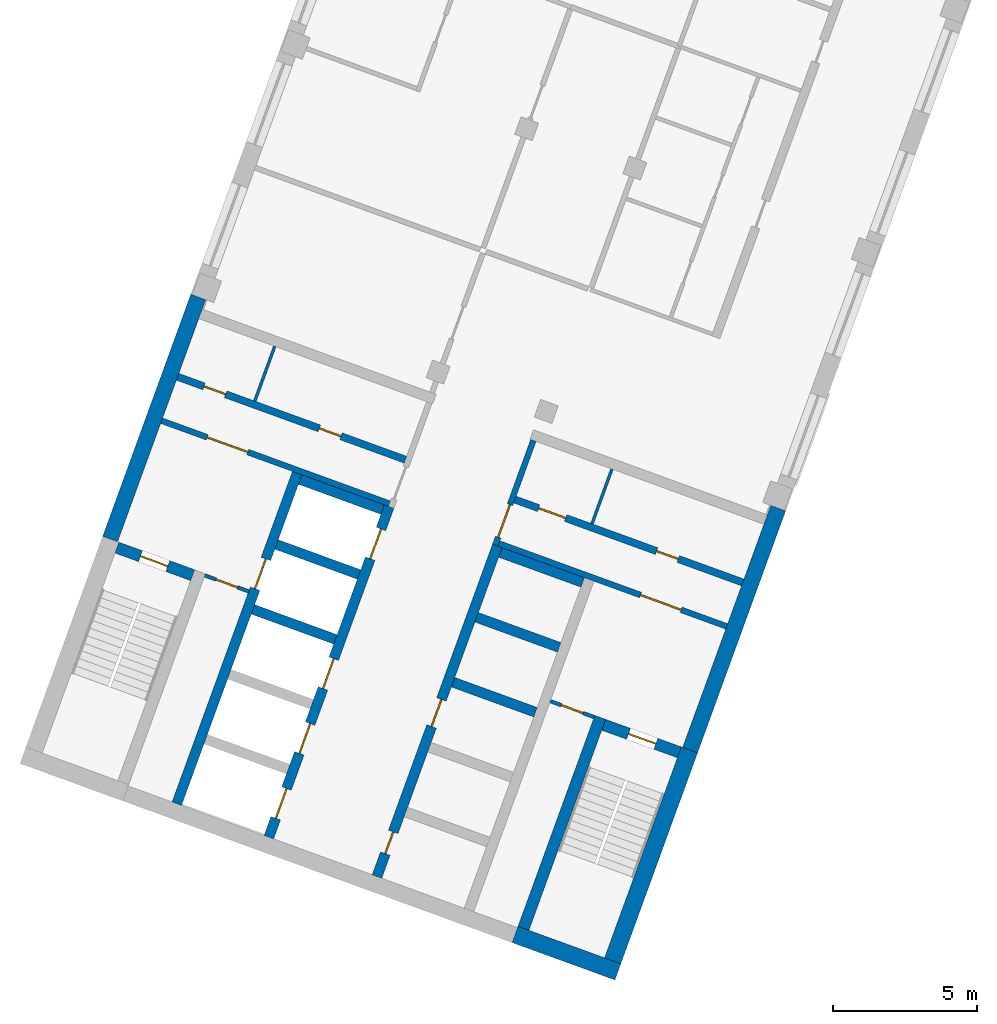
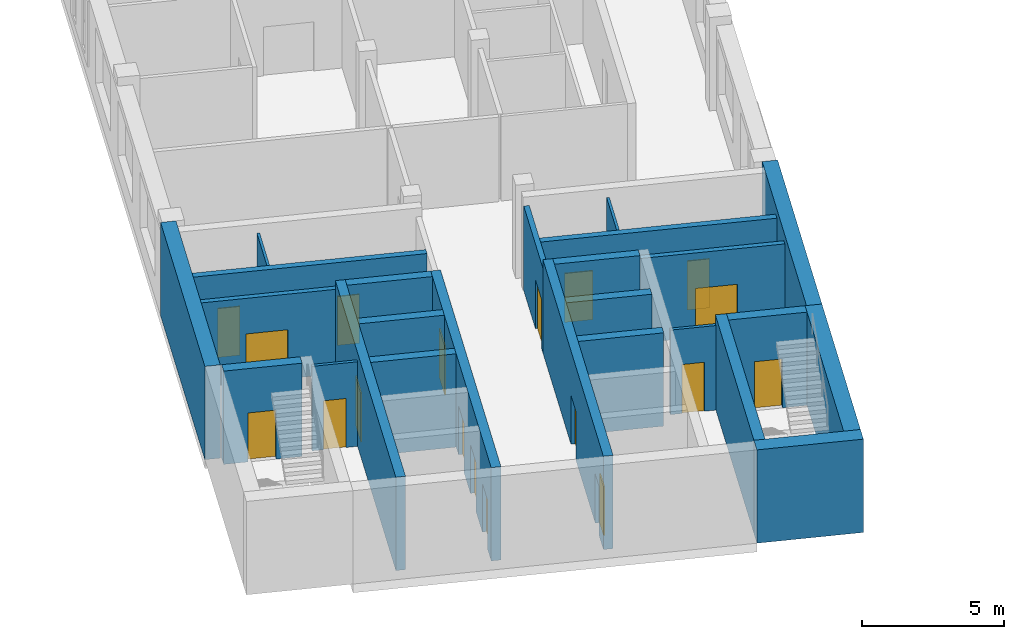
# One storey, part 2 of 8: 25 walls, 18 doors, 18 openings.
"""IFC4 building model written with IfcOpenShell, lengths in metres."""

from ifc_helpers import new_model, si_unit, direction, frame, frame_2d, origin, place, context, subcontext, project, spatial, rectangle, extrude, material, layer, layer_set, type_object, element, fill, save


model = new_model("IFC4")

# Units and contexts
model_context = context("Model", 3, precision=1e-05, world=origin(), true_north=direction((0.0, 1.0)))
body_context = subcontext(model_context, "Body", "Model", "MODEL_VIEW")
ifc_project = project(units=[si_unit("LENGTHUNIT", "METRE"), si_unit("AREAUNIT", "SQUARE_METRE"), si_unit("VOLUMEUNIT", "CUBIC_METRE"), si_unit("PLANEANGLEUNIT", "RADIAN"), si_unit("MASSUNIT", "GRAM", prefix="KILO")], contexts=[model_context])

# Site, building, storey
site_placement = place(None, origin())
site = spatial("IfcSite", under=ifc_project, at=site_placement, CompositionType="ELEMENT")
building_placement = place(site_placement, origin())
building = spatial("IfcBuilding", under=site, at=building_placement, Name="Skarvind Civic Tower", CompositionType="ELEMENT")
storey_placement = place(building_placement, frame((0.0, 0.0, 170.5)))
storey = spatial("IfcBuildingStorey", under=building, at=storey_placement, Name="L40", CompositionType="ELEMENT", Elevation=170.5)

# Wall, opening, door
ifc_material_1 = material(Name="Fire-rated masonry partition", Category="masonry")
ifc_layer_1 = layer(ifc_material_1, 0.199951171875)
ifc_layer_set_1 = layer_set([ifc_layer_1], Name="Core enclosure wall 200")
wall_type_1 = type_object("IfcWallType", Name="Core enclosure wall 200", PredefinedType="PARTITIONING", material=ifc_layer_set_1)
wall_1_placement = place(storey_placement, frame((23.482666015625, 96.68798828125, 0.0), z_axis=(0.0, 0.0, 1.0), x_axis=(0.939691007314, -0.342024576271, 0.0)))
wall_1 = element("IfcWall", 1, at=wall_1_placement, inside=storey, type_object=wall_type_1, Name="Core wall C2", PredefinedType="PARTITIONING", context=body_context, shape_type="SweptSolid", body=[
    extrude(rectangle(XDim=8.425048828125, YDim=0.199951171875, at=frame_2d((4.21240234375, 0.0))), origin(), (0.0, 0.0, 1.0), 3.625),
])
opening_1_placement = place(wall_1_placement, frame((1.6875, 0.0, 0.0)))
opening_1 = element("IfcOpeningElement", 2, at=opening_1_placement, cuts=wall_1, Name="Opening D-L40-C2-08", PredefinedType="OPENING", context=body_context, shape_type="SweptSolid", body=[
    extrude(rectangle(XDim=1.5, YDim=2.10009765625, at=frame_2d((0.75, 1.050048828125))), frame((0.0, 0.10986328125, 0.0), z_axis=(0.0, -1.0, 0.0), x_axis=(1.0, 0.0, 0.0)), (0.0, 0.0, 1.0), 0.219970703125),
])
ifc_material_2 = material(Name="Fire-rated steel door", Category="steel")
door_type_1 = type_object("IfcDoorType", Name="Fire door 1500", OperationType="NOTDEFINED", PredefinedType="DOOR", material=ifc_material_2)
door_1_placement = place(opening_1_placement, origin())
door_1 = element("IfcDoor", 3, at=door_1_placement, inside=storey, type_object=door_type_1, Name="Fire door", OperationType="DOUBLE_DOOR_SINGLE_SWING", OverallHeight=2.10009765625, OverallWidth=1.5, PredefinedType="DOOR", context=body_context, shape_type="SweptSolid", body=[
    extrude(rectangle(XDim=1.5, YDim=2.10009765625, at=frame_2d((0.75, 1.050048828125))), frame((0.0, 0.02490234375, 0.0), z_axis=(0.0, -1.0, 0.0), x_axis=(1.0, 0.0, 0.0)), (0.0, 0.0, 1.0), 0.050048828125),
])
fill(opening_1, door_1)

wall_2_placement = place(storey_placement, frame((36.402587890625, 96.0029296875, 0.0), z_axis=(0.0, 0.0, 1.0), x_axis=(-0.342041503764, -0.939684845947, 0.0)))
wall_2 = element("IfcWall", 4, at=wall_2_placement, inside=storey, type_object=wall_type_1, Name="Core wall C2", PredefinedType="PARTITIONING", context=body_context, shape_type="SweptSolid", body=[
    extrude(rectangle(XDim=3.875, YDim=0.199951171875, at=frame_2d((1.9375, 0.0))), origin(), (0.0, 0.0, 1.0), 3.625),
])
opening_2_placement = place(wall_2_placement, frame((2.375, 0.0, 0.0)))
opening_2 = element("IfcOpeningElement", 5, at=opening_2_placement, cuts=wall_2, Name="Opening D-L40-C2-13", PredefinedType="OPENING", context=body_context, shape_type="SweptSolid", body=[
    extrude(rectangle(XDim=1.199951171875, YDim=2.10009765625, at=frame_2d((0.60009765625, 1.050048828125))), frame((0.0, 0.10986328125, 0.0), z_axis=(0.0, -1.0, 0.0), x_axis=(1.0, 0.0, 0.0)), (0.0, 0.0, 1.0), 0.219970703125),
])
door_type_2 = type_object("IfcDoorType", Name="Core lobby door 1200", OperationType="NOTDEFINED", PredefinedType="DOOR", material=ifc_material_2)
door_2_placement = place(opening_2_placement, origin())
door_2 = element("IfcDoor", 6, at=door_2_placement, inside=storey, type_object=door_type_2, Name="Fire door", OperationType="DOUBLE_DOOR_SINGLE_SWING", OverallHeight=2.10009765625, OverallWidth=1.199951171875, PredefinedType="DOOR", context=body_context, shape_type="SweptSolid", body=[
    extrude(rectangle(XDim=1.199951171875, YDim=2.10009765625, at=frame_2d((0.60009765625, 1.050048828125))), frame((0.0, 0.02490234375, 0.0), z_axis=(0.0, -1.0, 0.0), x_axis=(1.0, 0.0, 0.0)), (0.0, 0.0, 1.0), 0.050048828125),
])
fill(opening_2, door_2)

wall_3_placement = place(storey_placement, frame((35.205322265625, 92.42138671875, 0.0), z_axis=(0.0, 0.0, 1.0), x_axis=(0.939691007314, -0.342024576271, 0.0)))
wall_3 = element("IfcWall", 7, at=wall_3_placement, inside=storey, type_object=wall_type_1, Name="Core wall C2", PredefinedType="PARTITIONING", context=body_context, shape_type="SweptSolid", body=[
    extrude(rectangle(XDim=8.425048828125, YDim=0.199951171875, at=frame_2d((4.21240234375, 0.0))), origin(), (0.0, 0.0, 1.0), 3.625),
])
opening_3_placement = place(wall_3_placement, frame((5.237548828125, 0.0, 0.0)))
opening_3 = element("IfcOpeningElement", 8, at=opening_3_placement, cuts=wall_3, Name="Opening D-L40-C2-14", PredefinedType="OPENING", context=body_context, shape_type="SweptSolid", body=[
    extrude(rectangle(XDim=1.5, YDim=2.10009765625, at=frame_2d((0.75, 1.050048828125))), frame((0.0, 0.10986328125, 0.0), z_axis=(0.0, -1.0, 0.0), x_axis=(1.0, 0.0, 0.0)), (0.0, 0.0, 1.0), 0.219970703125),
])
door_3_placement = place(opening_3_placement, origin())
door_3 = element("IfcDoor", 9, at=door_3_placement, inside=storey, type_object=door_type_1, Name="Fire door", OperationType="DOUBLE_DOOR_SINGLE_SWING", OverallHeight=2.10009765625, OverallWidth=1.5, PredefinedType="DOOR", context=body_context, shape_type="SweptSolid", body=[
    extrude(rectangle(XDim=1.5, YDim=2.10009765625, at=frame_2d((0.75, 1.050048828125))), frame((0.0, 0.02490234375, 0.0), z_axis=(0.0, -1.0, 0.0), x_axis=(1.0, 0.0, 0.0)), (0.0, 0.0, 1.0), 0.050048828125),
])
fill(opening_3, door_3)

# Walls
ifc_material_3 = material(Name="Fire-rated plasterboard partition")
ifc_layer_2 = layer(ifc_material_3, 0.10009765625)
ifc_layer_set_2 = layer_set([ifc_layer_2], Name="Core partition wall 100")
wall_type_2 = type_object("IfcWallType", Name="Core partition wall 100", PredefinedType="PARTITIONING", material=ifc_layer_set_2)
wall_4_placement = place(storey_placement, frame((26.7216796875, 97.371337890625, 0.0), z_axis=(0.0, 0.0, 1.0), x_axis=(0.342004391282, 0.939698353911, 0.0)))
element("IfcWall", 10, at=wall_4_placement, inside=storey, type_object=wall_type_2, Name="Core wall C2", PredefinedType="PARTITIONING", context=body_context, shape_type="SweptSolid", body=[
    extrude(rectangle(XDim=2.025146484375, YDim=0.10009765625, at=frame_2d((1.0126953125, 0.0))), origin(), (0.0, 0.0, 1.0), 3.625),
])
wall_5_placement = place(storey_placement, frame((39.13232421875, 95.00927734375, 0.0), z_axis=(0.0, 0.0, 1.0), x_axis=(-0.342043138314, -0.939684250976, 0.0)))
element("IfcWall", 11, at=wall_5_placement, inside=storey, type_object=wall_type_2, Name="Core wall C2", PredefinedType="PARTITIONING", context=body_context, shape_type="SweptSolid", body=[
    extrude(rectangle(XDim=2.02490234375, YDim=0.10009765625, at=frame_2d((1.012451171875, 0.0))), origin(), (0.0, 0.0, 1.0), 3.625),
])

# Wall, openings, doors
ifc_material_4 = material(Name="Concrete C60", Category="concrete")
ifc_layer_3 = layer(ifc_material_4, 0.35009765625)
ifc_layer_set_3 = layer_set([ifc_layer_3], Name="Core wall 350 C60")
wall_type_3 = type_object("IfcWallType", Name="Core wall 350 C60", PredefinedType="SHEAR", material=ifc_layer_set_3)
wall_6_placement = place(storey_placement, frame((30.966552734375, 80.84814453125, 0.0), z_axis=(0.0, 0.0, 1.0), x_axis=(0.34201563943, 0.939694260058, 0.0)))
wall_6 = element("IfcWall", 12, at=wall_6_placement, inside=storey, type_object=wall_type_3, Name="Core wall C2 south lift row front L40", PredefinedType="SHEAR", context=body_context, shape_type="SweptSolid", body=[
    extrude(rectangle(XDim=12.22509765625, YDim=0.35009765625, at=frame_2d((6.112548828125, 0.0))), origin(), (0.0, 0.0, 1.0), 4.0),
])
opening_4_placement = place(wall_6_placement, frame((0.85009765625, 0.0, 0.0)))
opening_4 = element("IfcOpeningElement", 13, at=opening_4_placement, cuts=wall_6, Name="Opening D-L40-C2-05", PredefinedType="OPENING", context=body_context, shape_type="SweptSolid", body=[
    extrude(rectangle(XDim=0.800048828125, YDim=2.10009765625, at=frame_2d((0.39990234375, 1.050048828125))), frame((0.0, 0.18505859375, 0.0), z_axis=(0.0, -1.0, 0.0), x_axis=(1.0, 0.0, 0.0)), (0.0, 0.0, 1.0), 0.3701171875),
])
opening_5_placement = place(wall_6_placement, frame((5.550048828125, 0.0, 0.0)))
opening_5 = element("IfcOpeningElement", 14, at=opening_5_placement, cuts=wall_6, Name="Opening D-L40-C2-06", PredefinedType="OPENING", context=body_context, shape_type="SweptSolid", body=[
    extrude(rectangle(XDim=1.0, YDim=2.10009765625, at=frame_2d((0.5, 1.050048828125))), frame((0.0, 0.18505859375, 0.0), z_axis=(0.0, -1.0, 0.0), x_axis=(1.0, 0.0, 0.0)), (0.0, 0.0, 1.0), 0.3701171875),
])
door_type_3 = type_object("IfcDoorType", Name="Core riser door 800", OperationType="NOTDEFINED", PredefinedType="DOOR", material=ifc_material_2)
door_4_placement = place(opening_4_placement, origin())
door_4 = element("IfcDoor", 15, at=door_4_placement, inside=storey, type_object=door_type_3, Name="Riser door", OperationType="SINGLE_SWING_LEFT", OverallHeight=2.10009765625, OverallWidth=0.800048828125, PredefinedType="DOOR", context=body_context, shape_type="SweptSolid", body=[
    extrude(rectangle(XDim=0.800048828125, YDim=2.10009765625, at=frame_2d((0.39990234375, 1.050048828125))), frame((0.0, 0.02490234375, 0.0), z_axis=(0.0, -1.0, 0.0), x_axis=(1.0, 0.0, 0.0)), (0.0, 0.0, 1.0), 0.050048828125),
])
fill(opening_4, door_4)
door_type_4 = type_object("IfcDoorType", Name="Fire door 1000", OperationType="NOTDEFINED", PredefinedType="DOOR", material=ifc_material_2)
door_5_placement = place(opening_5_placement, origin())
door_5 = element("IfcDoor", 16, at=door_5_placement, inside=storey, type_object=door_type_4, Name="Fire door", OperationType="SINGLE_SWING_RIGHT", OverallHeight=2.10009765625, OverallWidth=1.0, PredefinedType="DOOR", context=body_context, shape_type="SweptSolid", body=[
    extrude(rectangle(XDim=1.0, YDim=2.10009765625, at=frame_2d((0.5, 1.050048828125))), frame((0.0, 0.02490234375, 0.0), z_axis=(0.0, -1.0, 0.0), x_axis=(1.0, 0.0, 0.0)), (0.0, 0.0, 1.0), 0.050048828125),
])
fill(opening_5, door_5)

# Walls
for number, where, z_axis, x_axis, name in (
    (17, (36.4765625, 86.557861328125, 0.0), (0.0, 0.0, 1.0), (-0.939683528043, 0.3420451244, 0.0), "Core wall C2 south lift row division 3 L40"),
    (18, (37.297607421875, 88.813232421875, 0.0), (0.0, 0.0, 1.0), (-0.939692892192, 0.342019397644, 0.0), "Core wall C2 south lift row division 4 L40"),
    (19, (38.118408203125, 91.068359375, 0.0), (0.0, 0.0, 1.0), (-0.939692892192, 0.342019397644, 0.0), "Core wall C2 south lift row division 5 L40"),
):
    element("IfcWall", number, at=place(storey_placement, frame(where, z_axis=z_axis, x_axis=x_axis)), inside=storey, type_object=wall_type_3, Name=name, PredefinedType="SHEAR", context=body_context, shape_type="SweptSolid", body=[
        extrude(rectangle(XDim=3.050048828125, YDim=0.35009765625, at=frame_2d((1.52490234375, 0.0))), origin(), (0.0, 0.0, 1.0), 4.0),
    ])

# Wall, openings, doors
wall_7_placement = place(storey_placement, frame((27.207763671875, 82.21630859375, 0.0), z_axis=(0.0, 0.0, 1.0), x_axis=(0.34201563943, 0.939694260058, 0.0)))
wall_7 = element("IfcWall", 20, at=wall_7_placement, inside=storey, type_object=wall_type_3, Name="Core wall C2 north lift row front L40", PredefinedType="SHEAR", context=body_context, shape_type="SweptSolid", body=[
    extrude(rectangle(XDim=12.22509765625, YDim=0.35009765625, at=frame_2d((6.112548828125, 0.0))), origin(), (0.0, 0.0, 1.0), 4.0),
])
opening_6_placement = place(wall_7_placement, frame((0.699951171875, 0.0, 0.0)))
opening_6 = element("IfcOpeningElement", 21, at=opening_6_placement, cuts=wall_7, Name="Opening LD42201", PredefinedType="OPENING", context=body_context, shape_type="SweptSolid", body=[
    extrude(rectangle(XDim=1.10009765625, YDim=2.10009765625, at=frame_2d((0.550048828125, 1.050048828125))), frame((0.0, 0.18505859375, 0.0), z_axis=(0.0, -1.0, 0.0), x_axis=(1.0, 0.0, 0.0)), (0.0, 0.0, 1.0), 0.3701171875),
])
opening_7_placement = place(wall_7_placement, frame((3.10009765625, 0.0, 0.0)))
opening_7 = element("IfcOpeningElement", 22, at=opening_7_placement, cuts=wall_7, Name="Opening LD42202", PredefinedType="OPENING", context=body_context, shape_type="SweptSolid", body=[
    extrude(rectangle(XDim=1.10009765625, YDim=2.10009765625, at=frame_2d((0.550048828125, 1.050048828125))), frame((0.0, 0.18505859375, 0.0), z_axis=(0.0, -1.0, 0.0), x_axis=(1.0, 0.0, 0.0)), (0.0, 0.0, 1.0), 0.3701171875),
])
opening_8_placement = place(wall_7_placement, frame((5.5, 0.0, 0.0)))
opening_8 = element("IfcOpeningElement", 23, at=opening_8_placement, cuts=wall_7, Name="Opening LD42203", PredefinedType="OPENING", context=body_context, shape_type="SweptSolid", body=[
    extrude(rectangle(XDim=1.10009765625, YDim=2.10009765625, at=frame_2d((0.550048828125, 1.050048828125))), frame((0.0, 0.18505859375, 0.0), z_axis=(0.0, -1.0, 0.0), x_axis=(1.0, 0.0, 0.0)), (0.0, 0.0, 1.0), 0.3701171875),
])
opening_9_placement = place(wall_7_placement, frame((10.300048828125, 0.0, 0.0)))
opening_9 = element("IfcOpeningElement", 24, at=opening_9_placement, cuts=wall_7, Name="Opening LD42205", PredefinedType="OPENING", context=body_context, shape_type="SweptSolid", body=[
    extrude(rectangle(XDim=1.10009765625, YDim=2.10009765625, at=frame_2d((0.550048828125, 1.050048828125))), frame((0.0, 0.18505859375, 0.0), z_axis=(0.0, -1.0, 0.0), x_axis=(1.0, 0.0, 0.0)), (0.0, 0.0, 1.0), 0.3701171875),
])
ifc_material_5 = material(Name="Stainless steel landing door", Category="steel")
door_type_5 = type_object("IfcDoorType", Name="Lift landing door 1100", OperationType="DOUBLE_DOOR_SLIDING", PredefinedType="DOOR", material=ifc_material_5)
door_6_placement = place(opening_6_placement, origin())
door_6 = element("IfcDoor", 25, at=door_6_placement, inside=storey, type_object=door_type_5, Name="Lift landing door", OperationType="DOUBLE_DOOR_SLIDING", OverallHeight=2.10009765625, OverallWidth=1.10009765625, PredefinedType="DOOR", context=body_context, shape_type="SweptSolid", body=[
    extrude(rectangle(XDim=1.10009765625, YDim=2.10009765625, at=frame_2d((0.550048828125, 1.050048828125))), frame((0.0, 0.02490234375, 0.0), z_axis=(0.0, -1.0, 0.0), x_axis=(1.0, 0.0, 0.0)), (0.0, 0.0, 1.0), 0.050048828125),
])
fill(opening_6, door_6)
door_7_placement = place(opening_7_placement, origin())
door_7 = element("IfcDoor", 26, at=door_7_placement, inside=storey, type_object=door_type_5, Name="Lift landing door", OperationType="DOUBLE_DOOR_SLIDING", OverallHeight=2.10009765625, OverallWidth=1.10009765625, PredefinedType="DOOR", context=body_context, shape_type="SweptSolid", body=[
    extrude(rectangle(XDim=1.10009765625, YDim=2.10009765625, at=frame_2d((0.550048828125, 1.050048828125))), frame((0.0, 0.02490234375, 0.0), z_axis=(0.0, -1.0, 0.0), x_axis=(1.0, 0.0, 0.0)), (0.0, 0.0, 1.0), 0.050048828125),
])
fill(opening_7, door_7)
door_8_placement = place(opening_8_placement, origin())
door_8 = element("IfcDoor", 27, at=door_8_placement, inside=storey, type_object=door_type_5, Name="Lift landing door", OperationType="DOUBLE_DOOR_SLIDING", OverallHeight=2.10009765625, OverallWidth=1.10009765625, PredefinedType="DOOR", context=body_context, shape_type="SweptSolid", body=[
    extrude(rectangle(XDim=1.10009765625, YDim=2.10009765625, at=frame_2d((0.550048828125, 1.050048828125))), frame((0.0, 0.02490234375, 0.0), z_axis=(0.0, -1.0, 0.0), x_axis=(1.0, 0.0, 0.0)), (0.0, 0.0, 1.0), 0.050048828125),
])
fill(opening_8, door_8)
door_9_placement = place(opening_9_placement, origin())
door_9 = element("IfcDoor", 28, at=door_9_placement, inside=storey, type_object=door_type_5, Name="Lift landing door", OperationType="DOUBLE_DOOR_SLIDING", OverallHeight=2.10009765625, OverallWidth=1.10009765625, PredefinedType="DOOR", context=body_context, shape_type="SweptSolid", body=[
    extrude(rectangle(XDim=1.10009765625, YDim=2.10009765625, at=frame_2d((0.550048828125, 1.050048828125))), frame((0.0, 0.02490234375, 0.0), z_axis=(0.0, -1.0, 0.0), x_axis=(1.0, 0.0, 0.0)), (0.0, 0.0, 1.0), 0.050048828125),
])
fill(opening_9, door_9)

# Wall, opening, door
wall_8_placement = place(storey_placement, frame((24.0126953125, 83.379150390625, 0.0), z_axis=(0.0, 0.0, 1.0), x_axis=(0.34201563943, 0.939694260058, 0.0)))
wall_8 = element("IfcWall", 29, at=wall_8_placement, inside=storey, type_object=wall_type_3, Name="Core wall C2 north lift row back L40", PredefinedType="SHEAR", context=body_context, shape_type="SweptSolid", body=[
    extrude(rectangle(XDim=12.22509765625, YDim=0.35009765625, at=frame_2d((6.112548828125, 0.0))), origin(), (0.0, 0.0, 1.0), 4.0),
])
opening_10_placement = place(wall_8_placement, frame((7.949951171875, 0.0, 0.0)))
opening_10 = element("IfcOpeningElement", 30, at=opening_10_placement, cuts=wall_8, Name="Opening LD42204", PredefinedType="OPENING", context=body_context, shape_type="SweptSolid", body=[
    extrude(rectangle(XDim=1.10009765625, YDim=2.10009765625, at=frame_2d((0.550048828125, 1.050048828125))), frame((0.0, 0.18505859375, 0.0), z_axis=(0.0, -1.0, 0.0), x_axis=(1.0, 0.0, 0.0)), (0.0, 0.0, 1.0), 0.3701171875),
])
door_10_placement = place(opening_10_placement, origin())
door_10 = element("IfcDoor", 31, at=door_10_placement, inside=storey, type_object=door_type_5, Name="Lift landing door", OperationType="DOUBLE_DOOR_SLIDING", OverallHeight=2.10009765625, OverallWidth=1.10009765625, PredefinedType="DOOR", context=body_context, shape_type="SweptSolid", body=[
    extrude(rectangle(XDim=1.10009765625, YDim=2.10009765625, at=frame_2d((0.550048828125, 1.050048828125))), frame((0.0, 0.02490234375, 0.0), z_axis=(0.0, -1.0, 0.0), x_axis=(1.0, 0.0, 0.0)), (0.0, 0.0, 1.0), 0.050048828125),
])
fill(opening_10, door_10)

# Walls
wall_9_placement = place(storey_placement, frame((29.52294921875, 89.0888671875, 0.0), z_axis=(0.0, 0.0, 1.0), x_axis=(-0.939692892192, 0.342019397644, 0.0)))
element("IfcWall", 32, at=wall_9_placement, inside=storey, type_object=wall_type_3, Name="Core wall C2 north lift row division 3 L40", PredefinedType="SHEAR", context=body_context, shape_type="SweptSolid", body=[
    extrude(rectangle(XDim=3.050048828125, YDim=0.35009765625, at=frame_2d((1.52490234375, 0.0))), origin(), (0.0, 0.0, 1.0), 4.0),
])
wall_10_placement = place(storey_placement, frame((30.34375, 91.34423828125, 0.0), z_axis=(0.0, 0.0, 1.0), x_axis=(-0.939709254651, 0.341974438698, 0.0)))
element("IfcWall", 33, at=wall_10_placement, inside=storey, type_object=wall_type_3, Name="Core wall C2 north lift row division 4 L40", PredefinedType="SHEAR", context=body_context, shape_type="SweptSolid", body=[
    extrude(rectangle(XDim=3.0498046875, YDim=0.35009765625, at=frame_2d((1.52490234375, 0.0))), origin(), (0.0, 0.0, 1.0), 4.0),
])
wall_11_placement = place(storey_placement, frame((31.16455078125, 93.599365234375, 0.0), z_axis=(0.0, 0.0, 1.0), x_axis=(-0.939683528043, 0.3420451244, 0.0)))
element("IfcWall", 34, at=wall_11_placement, inside=storey, type_object=wall_type_3, Name="Core wall C2 north lift row division 5 L40", PredefinedType="SHEAR", context=body_context, shape_type="SweptSolid", body=[
    extrude(rectangle(XDim=3.050048828125, YDim=0.35009765625, at=frame_2d((1.52490234375, 0.0))), origin(), (0.0, 0.0, 1.0), 4.0),
])
ifc_layer_4 = layer(ifc_material_4, 0.39990234375)
ifc_layer_set_4 = layer_set([ifc_layer_4], Name="Core wall 400 C60")
wall_type_4 = type_object("IfcWallType", Name="Core wall 400 C60", PredefinedType="SHEAR", material=ifc_layer_set_4)
wall_12_placement = place(storey_placement, frame((36.057861328125, 79.04833984375, 0.0), z_axis=(0.0, 0.0, 1.0), x_axis=(0.342016982193, 0.939693771338, 0.0)))
element("IfcWall", 35, at=wall_12_placement, inside=storey, type_object=wall_type_4, Name="Core wall C2 south stair inner L40", PredefinedType="SHEAR", context=body_context, shape_type="SweptSolid", body=[
    extrude(rectangle(XDim=7.800048828125, YDim=0.39990234375, at=frame_2d((3.89990234375, 0.0))), origin(), (0.0, 0.0, 1.0), 4.0),
])

# Wall, opening, door
wall_13_placement = place(storey_placement, frame((41.476318359375, 85.163818359375, 0.0), z_axis=(0.0, 0.0, 1.0), x_axis=(-0.939678810556, 0.342058084236, 0.0)))
wall_13 = element("IfcWall", 36, at=wall_13_placement, inside=storey, type_object=wall_type_4, Name="Core wall C2 south stair end L40", PredefinedType="SHEAR", context=body_context, shape_type="SweptSolid", body=[
    extrude(rectangle(XDim=2.800048828125, YDim=0.39990234375, at=frame_2d((1.39990234375, 0.0))), origin(), (0.0, 0.0, 1.0), 4.0),
])
opening_11_placement = place(wall_13_placement, frame((0.875, 0.0, 0.0)))
opening_11 = element("IfcOpeningElement", 37, at=opening_11_placement, cuts=wall_13, Name="Opening D-L40-C2-15", PredefinedType="OPENING", context=body_context, shape_type="SweptSolid", body=[
    extrude(rectangle(XDim=1.0, YDim=2.10009765625, at=frame_2d((0.5, 1.050048828125))), frame((0.0, 0.2099609375, 0.0), z_axis=(0.0, -1.0, 0.0), x_axis=(1.0, 0.0, 0.0)), (0.0, 0.0, 1.0), 0.419921875),
])
door_11_placement = place(opening_11_placement, origin())
door_11 = element("IfcDoor", 38, at=door_11_placement, inside=storey, type_object=door_type_4, Name="Fire door", OperationType="SINGLE_SWING_RIGHT", OverallHeight=2.10009765625, OverallWidth=1.0, PredefinedType="DOOR", context=body_context, shape_type="SweptSolid", body=[
    extrude(rectangle(XDim=1.0, YDim=2.10009765625, at=frame_2d((0.5, 1.050048828125))), frame((0.0, 0.02490234375, 0.0), z_axis=(0.0, -1.0, 0.0), x_axis=(1.0, 0.0, 0.0)), (0.0, 0.0, 1.0), 0.050048828125),
])
fill(opening_11, door_11)

wall_14_placement = place(storey_placement, frame((24.56201171875, 91.3203125, 0.0), z_axis=(0.0, 0.0, 1.0), x_axis=(-0.939717030584, 0.341953070509, 0.0)))
wall_14 = element("IfcWall", 39, at=wall_14_placement, inside=storey, type_object=wall_type_4, Name="Core wall C2 north stair end L40", PredefinedType="SHEAR", context=body_context, shape_type="SweptSolid", body=[
    extrude(rectangle(XDim=2.800048828125, YDim=0.39990234375, at=frame_2d((1.39990234375, 0.0))), origin(), (0.0, 0.0, 1.0), 4.0),
])
opening_12_placement = place(wall_14_placement, frame((0.925048828125, 0.0, 0.0)))
opening_12 = element("IfcOpeningElement", 40, at=opening_12_placement, cuts=wall_14, Name="Opening D-L40-C2-09", PredefinedType="OPENING", context=body_context, shape_type="SweptSolid", body=[
    extrude(rectangle(XDim=1.0, YDim=2.10009765625, at=frame_2d((0.5, 1.050048828125))), frame((0.0, 0.2099609375, 0.0), z_axis=(0.0, -1.0, 0.0), x_axis=(1.0, 0.0, 0.0)), (0.0, 0.0, 1.0), 0.419921875),
])
door_12_placement = place(opening_12_placement, origin())
door_12 = element("IfcDoor", 41, at=door_12_placement, inside=storey, type_object=door_type_4, Name="Fire door", OperationType="SINGLE_SWING_LEFT", OverallHeight=2.10009765625, OverallWidth=1.0, PredefinedType="DOOR", context=body_context, shape_type="SweptSolid", body=[
    extrude(rectangle(XDim=1.0, YDim=2.10009765625, at=frame_2d((0.5, 1.050048828125))), frame((0.0, 0.02490234375, 0.0), z_axis=(0.0, -1.0, 0.0), x_axis=(1.0, 0.0, 0.0)), (0.0, 0.0, 1.0), 0.050048828125),
])
fill(opening_12, door_12)

# Walls
ifc_layer_5 = layer(ifc_material_4, 0.550048828125)
ifc_layer_set_5 = layer_set([ifc_layer_5], Name="Core wall 550 C60")
wall_type_5 = type_object("IfcWallType", Name="Core wall 550 C60", PredefinedType="SHEAR", material=ifc_layer_set_5)
wall_15_placement = place(storey_placement, frame((41.85009765625, 85.24072265625, 0.0), z_axis=(0.0, 0.0, 1.0), x_axis=(0.34201902012, 0.939693029598, 0.0)))
element("IfcWall", 42, at=wall_15_placement, inside=storey, type_object=wall_type_5, Name="Core wall C2 south side L40", PredefinedType="SHEAR", context=body_context, shape_type="SweptSolid", body=[
    extrude(rectangle(XDim=8.949951171875, YDim=0.550048828125, at=frame_2d((4.47509765625, 0.0))), origin(), (0.0, 0.0, 1.0), 4.0),
])
wall_16_placement = place(storey_placement, frame((21.69384765625, 92.576904296875, 0.0), z_axis=(0.0, 0.0, 1.0), x_axis=(0.342010253184, 0.939696220444, 0.0)))
element("IfcWall", 43, at=wall_16_placement, inside=storey, type_object=wall_type_5, Name="Core wall C2 north side L40", PredefinedType="SHEAR", context=body_context, shape_type="SweptSolid", body=[
    extrude(rectangle(XDim=8.9501953125, YDim=0.550048828125, at=frame_2d((4.47509765625, 0.0))), origin(), (0.0, 0.0, 1.0), 4.0),
])
ifc_layer_6 = layer(ifc_material_4, 0.60009765625)
ifc_layer_set_6 = layer_set([ifc_layer_6], Name="Core wall 600 C60")
wall_type_6 = type_object("IfcWallType", Name="Core wall 600 C60", PredefinedType="SHEAR", material=ifc_layer_set_6)
wall_17_placement = place(storey_placement, frame((39.338134765625, 77.53515625, 0.0), z_axis=(0.0, 0.0, 1.0), x_axis=(-0.939701471648, 0.341995824804, 0.0)))
element("IfcWall", 44, at=wall_17_placement, inside=storey, type_object=wall_type_6, Name="Core wall C2 tip at the south stair L40", PredefinedType="SHEAR", context=body_context, shape_type="SweptSolid", body=[
    extrude(rectangle(XDim=3.800048828125, YDim=0.60009765625, at=frame_2d((1.89990234375, 0.0))), origin(), (0.0, 0.0, 1.0), 4.0),
])
wall_18_placement = place(storey_placement, frame((39.158935546875, 77.919677734375, 0.0), z_axis=(0.0, 0.0, 1.0), x_axis=(0.342016982193, 0.939693771338, 0.0)))
element("IfcWall", 45, at=wall_18_placement, inside=storey, type_object=wall_type_6, Name="Core wall C2 south side at the stair L40", PredefinedType="SHEAR", context=body_context, shape_type="SweptSolid", body=[
    extrude(rectangle(XDim=7.800048828125, YDim=0.60009765625, at=frame_2d((3.89990234375, 0.0))), origin(), (0.0, 0.0, 1.0), 4.0),
])

# Wall, opening, door
ifc_layer_7 = layer(ifc_material_1, 0.125)
ifc_layer_set_7 = layer_set([ifc_layer_7], Name="Riser wall 125")
wall_type_7 = type_object("IfcWallType", Name="Riser wall 125", PredefinedType="PARTITIONING", material=ifc_layer_set_7)
wall_19_placement = place(storey_placement, frame((24.98486328125, 91.3125, 0.0), z_axis=(0.0, 0.0, 1.0), x_axis=(0.939705651352, -0.341984340019, 0.0)))
wall_19 = element("IfcWall", 46, at=wall_19_placement, inside=storey, type_object=wall_type_7, Name="Core wall C2", PredefinedType="PARTITIONING", context=body_context, shape_type="SweptSolid", body=[
    extrude(rectangle(XDim=1.624755859375, YDim=0.125, at=frame_2d((0.8125, 0.0))), origin(), (0.0, 0.0, 1.0), 3.625),
])
opening_13_placement = place(wall_19_placement, frame((0.41259765625, 0.0, 0.0)))
opening_13 = element("IfcOpeningElement", 47, at=opening_13_placement, cuts=wall_19, Name="Opening D-L40-C2-10", PredefinedType="OPENING", context=body_context, shape_type="SweptSolid", body=[
    extrude(rectangle(XDim=0.800048828125, YDim=2.10009765625, at=frame_2d((0.39990234375, 1.050048828125))), frame((0.0, 0.072509765625, 0.0), z_axis=(0.0, -1.0, 0.0), x_axis=(1.0, 0.0, 0.0)), (0.0, 0.0, 1.0), 0.14501953125),
])
door_13_placement = place(opening_13_placement, origin())
door_13 = element("IfcDoor", 48, at=door_13_placement, inside=storey, type_object=door_type_3, Name="Riser door", OperationType="SINGLE_SWING_RIGHT", OverallHeight=2.10009765625, OverallWidth=0.800048828125, PredefinedType="DOOR", context=body_context, shape_type="SweptSolid", body=[
    extrude(rectangle(XDim=0.800048828125, YDim=2.10009765625, at=frame_2d((0.39990234375, 1.050048828125))), frame((0.0, 0.02490234375, 0.0), z_axis=(0.0, -1.0, 0.0), x_axis=(1.0, 0.0, 0.0)), (0.0, 0.0, 1.0), 0.050048828125),
])
fill(opening_13, door_13)

wall_20_placement = place(storey_placement, frame((36.989501953125, 86.943359375, 0.0), z_axis=(0.0, 0.0, 1.0), x_axis=(0.939657357267, -0.342117013511, 0.0)))
wall_20 = element("IfcWall", 49, at=wall_20_placement, inside=storey, type_object=wall_type_7, Name="Core wall C2", PredefinedType="PARTITIONING", context=body_context, shape_type="SweptSolid", body=[
    extrude(rectangle(XDim=1.625, YDim=0.125, at=frame_2d((0.8125, 0.0))), origin(), (0.0, 0.0, 1.0), 3.625),
])
opening_14_placement = place(wall_20_placement, frame((0.41259765625, 0.0, 0.0)))
opening_14 = element("IfcOpeningElement", 50, at=opening_14_placement, cuts=wall_20, Name="Opening D-L40-C2-16", PredefinedType="OPENING", context=body_context, shape_type="SweptSolid", body=[
    extrude(rectangle(XDim=0.800048828125, YDim=2.10009765625, at=frame_2d((0.39990234375, 1.050048828125))), frame((0.0, 0.072509765625, 0.0), z_axis=(0.0, -1.0, 0.0), x_axis=(1.0, 0.0, 0.0)), (0.0, 0.0, 1.0), 0.14501953125),
])
door_14_placement = place(opening_14_placement, origin())
door_14 = element("IfcDoor", 51, at=door_14_placement, inside=storey, type_object=door_type_3, Name="Riser door", OperationType="SINGLE_SWING_LEFT", OverallHeight=2.10009765625, OverallWidth=0.800048828125, PredefinedType="DOOR", context=body_context, shape_type="SweptSolid", body=[
    extrude(rectangle(XDim=0.800048828125, YDim=2.10009765625, at=frame_2d((0.39990234375, 1.050048828125))), frame((0.0, 0.02490234375, 0.0), z_axis=(0.0, -1.0, 0.0), x_axis=(1.0, 0.0, 0.0)), (0.0, 0.0, 1.0), 0.050048828125),
])
fill(opening_14, door_14)

# Wall, openings, doors
ifc_layer_8 = layer(ifc_material_1, 0.25)
ifc_layer_set_8 = layer_set([ifc_layer_8], Name="Service block wall 250")
wall_type_8 = type_object("IfcWallType", Name="Service block wall 250", PredefinedType="PARTITIONING", material=ifc_layer_set_8)
wall_21_placement = place(storey_placement, frame((24.03857421875, 98.215087890625, 0.0), z_axis=(0.0, 0.0, 1.0), x_axis=(0.939687617333, -0.342033889887, 0.0)))
wall_21 = element("IfcWall", 52, at=wall_21_placement, inside=storey, type_object=wall_type_8, Name="Core wall C2", PredefinedType="PARTITIONING", context=body_context, shape_type="SweptSolid", body=[
    extrude(rectangle(XDim=8.4248046875, YDim=0.25, at=frame_2d((4.21240234375, 0.0))), origin(), (0.0, 0.0, 1.0), 3.625),
])
opening_15_placement = place(wall_21_placement, frame((5.242431640625, 0.0, 0.0)))
opening_15 = element("IfcOpeningElement", 53, at=opening_15_placement, cuts=wall_21, Name="Opening D-L40-C2-11", PredefinedType="OPENING", context=body_context, shape_type="SweptSolid", body=[
    extrude(rectangle(XDim=0.800048828125, YDim=2.10009765625, at=frame_2d((0.39990234375, 1.050048828125))), frame((0.0, 0.135009765625, 0.0), z_axis=(0.0, -1.0, 0.0), x_axis=(1.0, 0.0, 0.0)), (0.0, 0.0, 1.0), 0.27001953125),
])
opening_16_placement = place(wall_21_placement, frame((0.97998046875, 0.0, 0.0)))
opening_16 = element("IfcOpeningElement", 54, at=opening_16_placement, cuts=wall_21, Name="Opening D-L40-C2-12", PredefinedType="OPENING", context=body_context, shape_type="SweptSolid", body=[
    extrude(rectangle(XDim=0.800048828125, YDim=2.10009765625, at=frame_2d((0.39990234375, 1.050048828125))), frame((0.0, 0.135009765625, 0.0), z_axis=(0.0, -1.0, 0.0), x_axis=(1.0, 0.0, 0.0)), (0.0, 0.0, 1.0), 0.27001953125),
])
door_15_placement = place(opening_15_placement, origin())
door_15 = element("IfcDoor", 55, at=door_15_placement, inside=storey, type_object=door_type_3, Name="Riser door", OperationType="SINGLE_SWING_LEFT", OverallHeight=2.10009765625, OverallWidth=0.800048828125, PredefinedType="DOOR", context=body_context, shape_type="SweptSolid", body=[
    extrude(rectangle(XDim=0.800048828125, YDim=2.10009765625, at=frame_2d((0.39990234375, 1.050048828125))), frame((0.0, 0.02490234375, 0.0), z_axis=(0.0, -1.0, 0.0), x_axis=(1.0, 0.0, 0.0)), (0.0, 0.0, 1.0), 0.050048828125),
])
fill(opening_15, door_15)
door_16_placement = place(opening_16_placement, origin())
door_16 = element("IfcDoor", 56, at=door_16_placement, inside=storey, type_object=door_type_3, Name="Riser door", OperationType="SINGLE_SWING_RIGHT", OverallHeight=2.10009765625, OverallWidth=0.800048828125, PredefinedType="DOOR", context=body_context, shape_type="SweptSolid", body=[
    extrude(rectangle(XDim=0.800048828125, YDim=2.10009765625, at=frame_2d((0.39990234375, 1.050048828125))), frame((0.0, 0.02490234375, 0.0), z_axis=(0.0, -1.0, 0.0), x_axis=(1.0, 0.0, 0.0)), (0.0, 0.0, 1.0), 0.050048828125),
])
fill(opening_16, door_16)

wall_22_placement = place(storey_placement, frame((35.76123046875, 93.9482421875, 0.0), z_axis=(0.0, 0.0, 1.0), x_axis=(0.93969693093, -0.342008301071, 0.0)))
wall_22 = element("IfcWall", 57, at=wall_22_placement, inside=storey, type_object=wall_type_8, Name="Core wall C2", PredefinedType="PARTITIONING", context=body_context, shape_type="SweptSolid", body=[
    extrude(rectangle(XDim=8.4248046875, YDim=0.25, at=frame_2d((4.21240234375, 0.0))), origin(), (0.0, 0.0, 1.0), 3.625),
])
opening_17_placement = place(wall_22_placement, frame((0.87744140625, 0.0, 0.0)))
opening_17 = element("IfcOpeningElement", 58, at=opening_17_placement, cuts=wall_22, Name="Opening D-L40-C2-17", PredefinedType="OPENING", context=body_context, shape_type="SweptSolid", body=[
    extrude(rectangle(XDim=1.0, YDim=2.10009765625, at=frame_2d((0.5, 1.050048828125))), frame((0.0, 0.135009765625, 0.0), z_axis=(0.0, -1.0, 0.0), x_axis=(1.0, 0.0, 0.0)), (0.0, 0.0, 1.0), 0.27001953125),
])
opening_18_placement = place(wall_22_placement, frame((5.239990234375, 0.0, 0.0)))
opening_18 = element("IfcOpeningElement", 59, at=opening_18_placement, cuts=wall_22, Name="Opening D-L40-C2-18", PredefinedType="OPENING", context=body_context, shape_type="SweptSolid", body=[
    extrude(rectangle(XDim=0.800048828125, YDim=2.10009765625, at=frame_2d((0.39990234375, 1.050048828125))), frame((0.0, 0.135009765625, 0.0), z_axis=(0.0, -1.0, 0.0), x_axis=(1.0, 0.0, 0.0)), (0.0, 0.0, 1.0), 0.27001953125),
])
door_17_placement = place(opening_18_placement, origin())
door_17 = element("IfcDoor", 60, at=door_17_placement, inside=storey, type_object=door_type_3, Name="Riser door", OperationType="SINGLE_SWING_LEFT", OverallHeight=2.10009765625, OverallWidth=0.800048828125, PredefinedType="DOOR", context=body_context, shape_type="SweptSolid", body=[
    extrude(rectangle(XDim=0.800048828125, YDim=2.10009765625, at=frame_2d((0.39990234375, 1.050048828125))), frame((0.0, 0.02490234375, 0.0), z_axis=(0.0, -1.0, 0.0), x_axis=(1.0, 0.0, 0.0)), (0.0, 0.0, 1.0), 0.050048828125),
])
fill(opening_18, door_17)
door_18_placement = place(opening_17_placement, origin())
door_18 = element("IfcDoor", 61, at=door_18_placement, inside=storey, type_object=door_type_4, Name="Fire door", OperationType="SINGLE_SWING_RIGHT", OverallHeight=2.10009765625, OverallWidth=1.0, PredefinedType="DOOR", context=body_context, shape_type="SweptSolid", body=[
    extrude(rectangle(XDim=1.0, YDim=2.10009765625, at=frame_2d((0.5, 1.050048828125))), frame((0.0, 0.02490234375, 0.0), z_axis=(0.0, -1.0, 0.0), x_axis=(1.0, 0.0, 0.0)), (0.0, 0.0, 1.0), 0.050048828125),
])
fill(opening_17, door_18)

save(model, "model.ifc")
